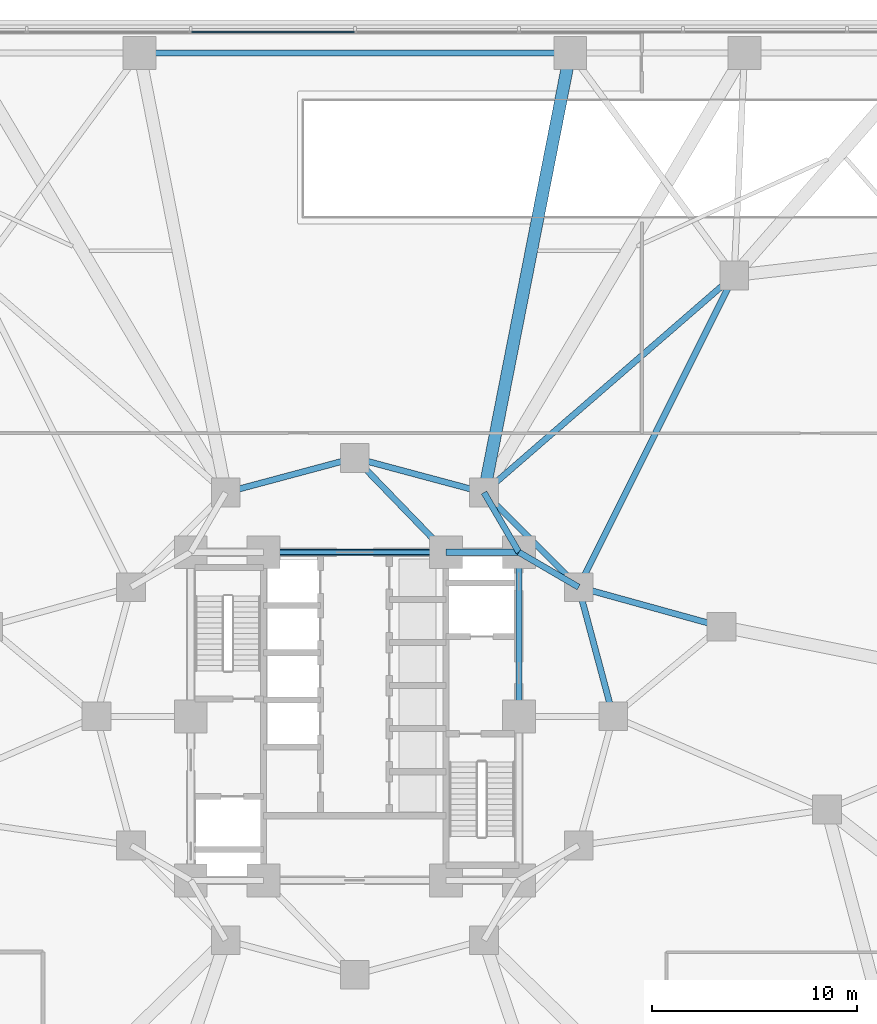
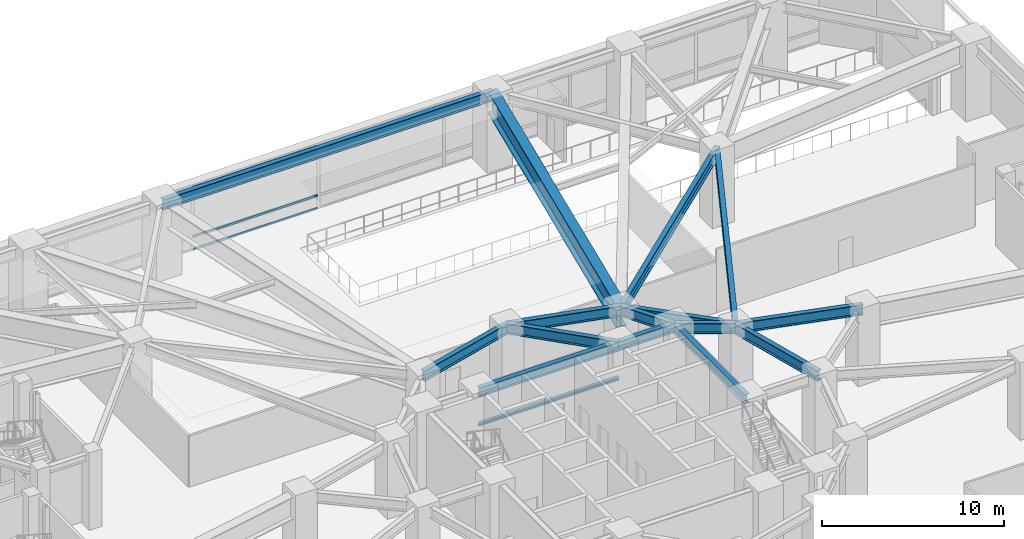
# One storey, part 11 of 30: 16 beams, 3 members, 1 element without a shape of its own.
"""IFC4 building model written with IfcOpenShell, lengths in metres."""

from ifc_helpers import new_model, si_unit, direction, frame, origin, origin_2d, place, context, subcontext, project, spatial, rectangle, i_section, extrude, material, layer, layer_set, material_profile, profile_set, type_object, element, aggregate, save


model = new_model("IFC4")

# Units and contexts
model_context = context("Model", 3, precision=1e-05, world=origin(), true_north=direction((0.0, 1.0)))
body_context = subcontext(model_context, "Body", "Model", "MODEL_VIEW")
ifc_project = project(units=[si_unit("LENGTHUNIT", "METRE"), si_unit("AREAUNIT", "SQUARE_METRE"), si_unit("VOLUMEUNIT", "CUBIC_METRE"), si_unit("PLANEANGLEUNIT", "RADIAN"), si_unit("MASSUNIT", "GRAM", prefix="KILO")], contexts=[model_context])

# Site, building, storey
site_placement = place(None, origin())
site = spatial("IfcSite", under=ifc_project, at=site_placement, CompositionType="ELEMENT")
building_placement = place(site_placement, origin())
building = spatial("IfcBuilding", under=site, at=building_placement, Name="Terralouvre Media Tower", CompositionType="ELEMENT")
storey_placement = place(building_placement, origin())
storey = spatial("IfcBuildingStorey", under=building, at=storey_placement, Name="L00", CompositionType="ELEMENT", Elevation=0.0)

# Curtain wall, members
ifc_material_1 = material(Name="Low-iron laminated double glazing with solar-control coating", Category="glass")
ifc_layer = layer(ifc_material_1, 0.1650390625, Name="Podium Broadcast Gallery Glazing CW-01")
ifc_layer_set = layer_set([ifc_layer], Name="Low-iron laminated double glazing with solar-control coating")
curtain_wall_type = type_object("IfcCurtainWallType", Name="Podium Broadcast Gallery Glazing CW-01", PredefinedType="NOTDEFINED", material=ifc_layer_set)
curtain_wall_placement = place(storey_placement, origin())
curtain_wall = element("IfcCurtainWall", 1, at=curtain_wall_placement, inside=storey, type_object=curtain_wall_type, Name="L00 Podium Curtain Wall F4", PredefinedType="NOTDEFINED")
ifc_material_2 = material(Name="Anodised extruded aluminium 6063-T6", Category="aluminium")
ifc_material_profile_1 = material_profile(ifc_material_2, rectangle(XDim=0.074951171875, YDim=0.14990234375, at=origin_2d()), Name="ALU 75x150")
ifc_profile_set_1 = profile_set([ifc_material_profile_1], Name="Anodised extruded aluminium 6063-T6")
member_type = type_object("IfcMemberType", Name="Curtain-Wall Horizontal Transom TR-150", PredefinedType="USERDEFINED", material=ifc_profile_set_1)
member_1_placement = place(storey_placement, frame((-0.03759765625, 33.360107421875, 0.03759765625), z_axis=(-1.0, 0.0, 0.0), x_axis=(0.0, -1.0, 0.0)))
member_1 = element("IfcMember", 2, at=member_1_placement, type_object=member_type, Name="CW-01 transom 5.1", ObjectType="TRANSOM", PredefinedType="USERDEFINED", context=body_context, shape_type="SweptSolid", body=[
    extrude(rectangle(XDim=0.074951171875, YDim=0.14990234375, at=origin_2d()), origin(), (0.0, 0.0, 1.0), 7.9248046875),
])
member_2_placement = place(storey_placement, frame((-0.03759765625, 33.360107421875, 0.89990234375), z_axis=(-1.0, 0.0, 0.0), x_axis=(0.0, -1.0, 0.0)))
member_2 = element("IfcMember", 3, at=member_2_placement, type_object=member_type, Name="CW-01 transom 5.2", ObjectType="TRANSOM", PredefinedType="USERDEFINED", context=body_context, shape_type="SweptSolid", body=[
    extrude(rectangle(XDim=0.074951171875, YDim=0.14990234375, at=origin_2d()), origin(), (0.0, 0.0, 1.0), 7.9248046875),
])
member_3_placement = place(storey_placement, frame((-0.03759765625, 33.360107421875, 4.1923828125), z_axis=(-1.0, 0.0, 0.0), x_axis=(0.0, -1.0, 0.0)))
member_3 = element("IfcMember", 4, at=member_3_placement, type_object=member_type, Name="CW-01 transom 5.3", ObjectType="TRANSOM", PredefinedType="USERDEFINED", context=body_context, shape_type="SweptSolid", body=[
    extrude(rectangle(XDim=0.074951171875, YDim=0.14990234375, at=origin_2d()), origin(), (0.0, 0.0, 1.0), 7.9248046875),
])
aggregate(curtain_wall, [member_1, member_2, member_3])

# Beams
ifc_material_3 = material(Name="Structural steel S355J2", Category="steel")
ifc_material_profile_2 = material_profile(ifc_material_3, i_section(OverallWidth=0.199951171875, OverallDepth=0.199951171875, WebThickness=0.009033203125, FlangeThickness=0.014892578125, at=origin_2d()), Name="HEB 200")
ifc_profile_set_2 = profile_set([ifc_material_profile_2], Name="Structural steel S355J2")
beam_type_1 = type_object("IfcBeamType", Name="Opening Lintel Beam LN-200 (HEB 200)", PredefinedType="LINTEL", material=ifc_profile_set_2)
beam_1_placement = place(storey_placement, frame((-4.449951171875, 8.0, 2.449951171875), z_axis=(1.0, 0.0, 0.0), x_axis=(0.0, 1.0, 0.0)))
element("IfcBeam", 5, at=beam_1_placement, inside=storey, type_object=beam_type_1, Name="L00 Core North Portal Lintel LN-03", PredefinedType="LINTEL", context=body_context, shape_type="SweptSolid", body=[
    extrude(i_section(OverallWidth=0.199951171875, OverallDepth=0.199951171875, WebThickness=0.009033203125, FlangeThickness=0.014892578125, at=origin_2d()), origin(), (0.0, 0.0, 1.0), 8.89990234375),
])
ifc_material_4 = material(Name="Structural steel S460M", Category="steel")
ifc_material_profile_3 = material_profile(ifc_material_4, i_section(OverallWidth=0.300048828125, OverallDepth=0.60009765625, WebThickness=0.015380859375, FlangeThickness=0.030029296875, at=origin_2d()), Name="HEB 600")
ifc_profile_set_3 = profile_set([ifc_material_profile_3], Name="Structural steel S460M")
beam_type_2 = type_object("IfcBeamType", Name="Primary Floor Girder B-HEB600 (HEB 600)", PredefinedType="BEAM", material=ifc_profile_set_3)
beam_2_placement = place(storey_placement, frame((8.0, 0.0, 4.64990234375), z_axis=(0.0, 1.0, 0.0), x_axis=(-1.0, 0.0, 0.0)))
element("IfcBeam", 6, at=beam_2_placement, inside=storey, type_object=beam_type_2, Name="L00 Framing Beam BM-L00-CPR05", PredefinedType="BEAM", context=body_context, shape_type="SweptSolid", body=[
    extrude(i_section(OverallWidth=0.300048828125, OverallDepth=0.60009765625, WebThickness=0.015380859375, FlangeThickness=0.030029296875, at=origin_2d()), origin(), (0.0, 0.0, 1.0), 8.0),
])
beam_3_placement = place(storey_placement, frame((8.0, 8.0, 4.64990234375), z_axis=(-1.0, 0.0, 0.0), x_axis=(0.0, -1.0, 0.0)))
element("IfcBeam", 7, at=beam_3_placement, inside=storey, type_object=beam_type_2, Name="L00 Framing Beam BM-L00-CPR06", PredefinedType="BEAM", context=body_context, shape_type="SweptSolid", body=[
    extrude(i_section(OverallWidth=0.300048828125, OverallDepth=0.60009765625, WebThickness=0.015380859375, FlangeThickness=0.030029296875, at=origin_2d()), origin(), (0.0, 0.0, 1.0), 3.550048828125),
])
beam_4_placement = place(storey_placement, frame((4.449951171875, 8.0, 4.64990234375), z_axis=(-1.0, 0.0, 0.0), x_axis=(0.0, -1.0, 0.0)))
element("IfcBeam", 8, at=beam_4_placement, inside=storey, type_object=beam_type_2, Name="L00 Framing Beam BM-L00-CPR07", PredefinedType="BEAM", context=body_context, shape_type="SweptSolid", body=[
    extrude(i_section(OverallWidth=0.300048828125, OverallDepth=0.60009765625, WebThickness=0.015380859375, FlangeThickness=0.030029296875, at=origin_2d()), origin(), (0.0, 0.0, 1.0), 8.89990234375),
])
ifc_material_5 = material(Name="Structural steel S460M", Category="steel")
ifc_material_profile_4 = material_profile(ifc_material_5, i_section(OverallWidth=0.300048828125, OverallDepth=0.699951171875, WebThickness=0.01708984375, FlangeThickness=0.031982421875, at=origin_2d()), Name="HEB 700")
ifc_profile_set_4 = profile_set([ifc_material_profile_4], Name="Structural steel S460M")
beam_type_3 = type_object("IfcBeamType", Name="Primary Floor Girder B-HEB700 (HEB 700)", PredefinedType="BEAM", material=ifc_profile_set_4)
beam_5_placement = place(storey_placement, frame((12.60009765625, 0.0, 4.60009765625), z_axis=(-0.258838989821, 0.965920481897, 0.0), x_axis=(-0.965920481897, -0.258838989821, 0.0)))
element("IfcBeam", 9, at=beam_5_placement, inside=storey, type_object=beam_type_3, Name="L00 Framing Beam BM-L00-MR06", PredefinedType="BEAM", context=body_context, shape_type="SweptSolid", body=[
    extrude(i_section(OverallWidth=0.300048828125, OverallDepth=0.699951171875, WebThickness=0.01708984375, FlangeThickness=0.031982421875, at=origin_2d()), origin(), (0.0, 0.0, 1.0), 6.522216796875),
])
beam_6_placement = place(storey_placement, frame((10.911865234375, 6.300048828125, 4.60009765625), z_axis=(-0.707106781187, 0.707106781187, 0.0), x_axis=(-0.707106781187, -0.707106781187, 0.0)))
element("IfcBeam", 10, at=beam_6_placement, inside=storey, type_object=beam_type_3, Name="L00 Framing Beam BM-L00-MR07", PredefinedType="BEAM", context=body_context, shape_type="SweptSolid", body=[
    extrude(i_section(OverallWidth=0.300048828125, OverallDepth=0.699951171875, WebThickness=0.01708984375, FlangeThickness=0.031982421875, at=origin_2d()), origin(), (0.0, 0.0, 1.0), 6.52197265625),
])
for number, where, z_axis, x_axis, name in (
    (11, (6.300048828125, 10.911865234375, 4.60009765625), (-0.965920481897, 0.258838989821, 0.0), (-0.258838989821, -0.965920481897, 0.0), "L00 Framing Beam BM-L00-MR08"),
    (12, (0.0, 12.60009765625, 4.60009765625), (-0.965920481897, -0.258838989821, 0.0), (0.258838989821, -0.965920481897, 0.0), "L00 Framing Beam BM-L00-MR09"),
):
    element("IfcBeam", number, at=place(storey_placement, frame(where, z_axis=z_axis, x_axis=x_axis)), inside=storey, type_object=beam_type_3, Name=name, PredefinedType="BEAM", context=body_context, shape_type="SweptSolid", body=[
        extrude(i_section(OverallWidth=0.300048828125, OverallDepth=0.699951171875, WebThickness=0.01708984375, FlangeThickness=0.031982421875, at=origin_2d()), origin(), (0.0, 0.0, 1.0), 6.522216796875),
    ])
for number, where, z_axis, x_axis, name in (
    (13, (8.0, 8.0, 4.60009765625), (0.863602894532, -0.504172629717, 0.0), (0.504172629717, 0.863602894532, 0.0), "L00 Framing Beam BM-L00-CM07"),
    (14, (8.0, 8.0, 4.60009765625), (-0.504172629717, 0.863602894532, 0.0), (-0.863602894532, -0.504172629717, 0.0), "L00 Framing Beam BM-L00-CM08"),
):
    element("IfcBeam", number, at=place(storey_placement, frame(where, z_axis=z_axis, x_axis=x_axis)), inside=storey, type_object=beam_type_3, Name=name, PredefinedType="BEAM", context=body_context, shape_type="SweptSolid", body=[
        extrude(i_section(OverallWidth=0.300048828125, OverallDepth=0.699951171875, WebThickness=0.01708984375, FlangeThickness=0.031982421875, at=origin_2d()), origin(), (0.0, 0.0, 1.0), 3.371826171875),
    ])
beam_7_placement = place(storey_placement, frame((4.449951171875, 8.0, 4.60009765625), z_axis=(-0.695279715726, 0.718739255155, 0.0), x_axis=(-0.718739255155, -0.695279715726, 0.0)))
element("IfcBeam", 15, at=beam_7_placement, inside=storey, type_object=beam_type_3, Name="L00 Framing Beam BM-L00-CM09", PredefinedType="BEAM", context=body_context, shape_type="SweptSolid", body=[
    extrude(i_section(OverallWidth=0.300048828125, OverallDepth=0.699951171875, WebThickness=0.01708984375, FlangeThickness=0.031982421875, at=origin_2d()), origin(), (0.0, 0.0, 1.0), 6.400146484375),
])
beam_8_placement = place(storey_placement, frame((6.300048828125, 10.911865234375, 4.60009765625), z_axis=(0.755234116228, 0.65545513171, 0.0), x_axis=(-0.65545513171, 0.755234116228, 0.0)))
element("IfcBeam", 16, at=beam_8_placement, inside=storey, type_object=beam_type_3, Name="L00 Framing Beam BM-L00-PM20M1", PredefinedType="BEAM", context=body_context, shape_type="SweptSolid", body=[
    extrude(i_section(OverallWidth=0.300048828125, OverallDepth=0.699951171875, WebThickness=0.01708984375, FlangeThickness=0.031982421875, at=origin_2d()), origin(), (0.0, 0.0, 1.0), 16.15380859375),
])
beam_9_placement = place(storey_placement, frame((10.911865234375, 6.300048828125, 4.60009765625), z_axis=(0.446655925193, 0.894705808906, 0.0), x_axis=(-0.894705808906, 0.446655925193, 0.0)))
element("IfcBeam", 17, at=beam_9_placement, inside=storey, type_object=beam_type_3, Name="L00 Framing Beam BM-L00-PM20M2", PredefinedType="BEAM", context=body_context, shape_type="SweptSolid", body=[
    extrude(i_section(OverallWidth=0.300048828125, OverallDepth=0.699951171875, WebThickness=0.01708984375, FlangeThickness=0.031982421875, at=origin_2d()), origin(), (0.0, 0.0, 1.0), 16.98876953125),
])
beam_10_placement = place(storey_placement, frame((10.911865234375, 6.300048828125, 4.60009765625), z_axis=(0.963780816717, -0.266695589254, 0.0), x_axis=(0.266695589254, 0.963780816717, 0.0)))
element("IfcBeam", 18, at=beam_10_placement, inside=storey, type_object=beam_type_3, Name="L00 Framing Beam BM-L00-PM22M2", PredefinedType="BEAM", context=body_context, shape_type="SweptSolid", body=[
    extrude(i_section(OverallWidth=0.300048828125, OverallDepth=0.699951171875, WebThickness=0.01708984375, FlangeThickness=0.031982421875, at=origin_2d()), origin(), (0.0, 0.0, 1.0), 7.224609375),
])
beam_11_placement = place(storey_placement, frame((10.5, 32.35009765625, 4.60009765625), z_axis=(-1.0, 0.0, 0.0), x_axis=(0.0, -1.0, 0.0)))
element("IfcBeam", 19, at=beam_11_placement, inside=storey, type_object=beam_type_3, Name="L00 Framing Beam BM-L00-PR13", PredefinedType="BEAM", context=body_context, shape_type="SweptSolid", body=[
    extrude(i_section(OverallWidth=0.300048828125, OverallDepth=0.699951171875, WebThickness=0.01708984375, FlangeThickness=0.031982421875, at=origin_2d()), origin(), (0.0, 0.0, 1.0), 21.0),
])
ifc_material_6 = material(Name="Structural steel S460M", Category="steel")
ifc_material_profile_5 = material_profile(ifc_material_6, i_section(OverallWidth=0.60009765625, OverallDepth=1.5, WebThickness=0.033935546875, FlangeThickness=0.054931640625, at=origin_2d()), Name="PG 1500x600")
ifc_profile_set_5 = profile_set([ifc_material_profile_5], Name="Structural steel S460M")
beam_type_4 = type_object("IfcBeamType", Name="Primary Floor Girder B-PG1500 (PG 1500x600)", PredefinedType="BEAM", material=ifc_profile_set_5)
beam_12_placement = place(storey_placement, frame((6.300048828125, 10.911865234375, 4.199951171875), z_axis=(0.192254717948, 0.981345058288, 0.0), x_axis=(-0.981345058288, 0.192254717948, 0.0)))
element("IfcBeam", 20, at=beam_12_placement, inside=storey, type_object=beam_type_4, Name="L00 Framing Beam BM-L00-RD13", PredefinedType="BEAM", context=body_context, shape_type="SweptSolid", body=[
    extrude(i_section(OverallWidth=0.60009765625, OverallDepth=1.5, WebThickness=0.033935546875, FlangeThickness=0.054931640625, at=origin_2d()), origin(), (0.0, 0.0, 1.0), 21.845703125),
])

save(model, "model.ifc")
